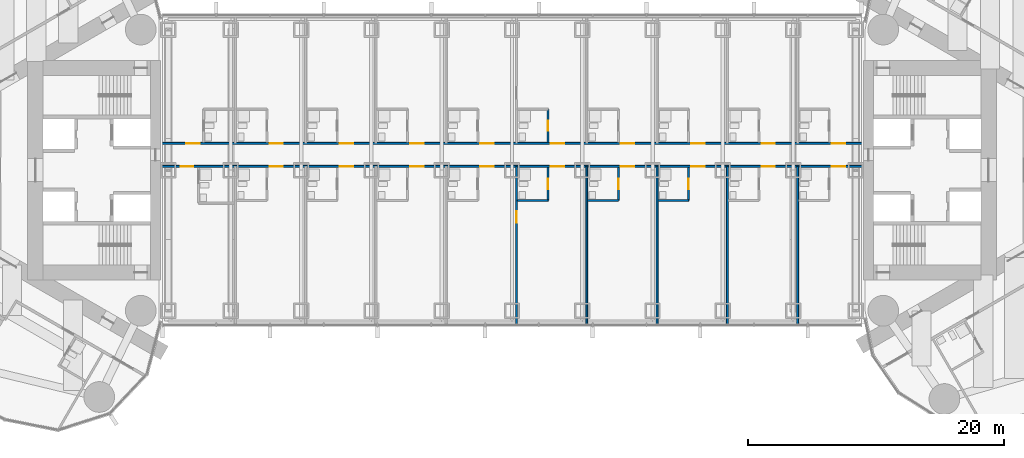
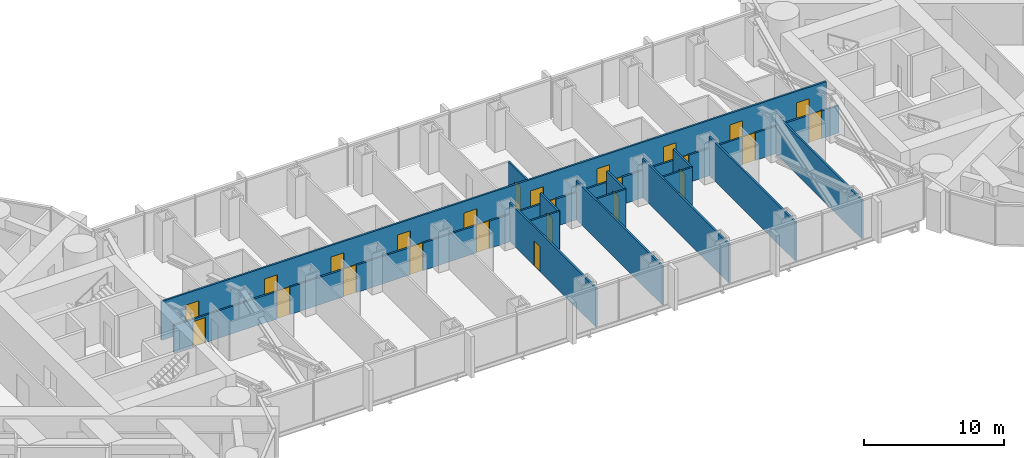
# One storey, part 17 of 23: 25 doors, 14 walls, 25 openings.
"""IFC4 building model written with IfcOpenShell, lengths in metres."""

from ifc_helpers import new_model, si_unit, direction, frame, frame_2d, origin, place, context, subcontext, project, spatial, rectangle, extrude, material, layer, layer_set, type_object, element, fill, save


model = new_model("IFC4")

# Units and contexts
model_context = context("Model", 3, precision=1e-05, world=origin(), true_north=direction((0.0, 1.0)))
body_context = subcontext(model_context, "Body", "Model", "MODEL_VIEW")
ifc_project = project(units=[si_unit("LENGTHUNIT", "METRE"), si_unit("AREAUNIT", "SQUARE_METRE"), si_unit("VOLUMEUNIT", "CUBIC_METRE"), si_unit("PLANEANGLEUNIT", "RADIAN"), si_unit("MASSUNIT", "GRAM", prefix="KILO")], contexts=[model_context])

# Site, building, storey
site_placement = place(None, origin())
site = spatial("IfcSite", under=ifc_project, at=site_placement, CompositionType="ELEMENT")
building_placement = place(site_placement, origin())
building = spatial("IfcBuilding", under=site, at=building_placement, Name="Lancet Gate Hotel", CompositionType="ELEMENT")
storey_placement = place(building_placement, frame((0.0, 0.0, 215.300048828125)))
storey = spatial("IfcBuildingStorey", under=building, at=storey_placement, Name="L57", CompositionType="ELEMENT", Elevation=215.300048828125)

# Wall
ifc_material_1 = material(Name="Moisture resistant board partition")
ifc_layer_1 = layer(ifc_material_1, 0.14990234375)
ifc_layer_set_1 = layer_set([ifc_layer_1], Name="Bathroom wall 150")
wall_type_1 = type_object("IfcWallType", Name="Bathroom wall 150", PredefinedType="PARTITIONING", material=ifc_layer_set_1)
wall_1_placement = place(storey_placement, frame((0.425048828125, -2.375, 0.0), z_axis=(0.0, 0.0, 1.0), x_axis=(1.0, 0.0, 0.0)))
element("IfcWall", 1, at=wall_1_placement, inside=storey, type_object=wall_type_1, Name="Bridge block bathroom wall 150 L57", PredefinedType="PARTITIONING", context=body_context, shape_type="SweptSolid", body=[
    extrude(rectangle(XDim=2.39990234375, YDim=0.14990234375, at=frame_2d((1.199951171875, 0.0))), origin(), (0.0, 0.0, 1.0), 3.39990234375),
])

# Wall, opening, door
wall_2_placement = place(storey_placement, frame((2.824951171875, -2.375, 0.0), z_axis=(0.0, 0.0, 1.0), x_axis=(0.0, 1.0, 0.0)))
wall_2 = element("IfcWall", 2, at=wall_2_placement, inside=storey, type_object=wall_type_1, Name="Bridge block bathroom wall 150 L57", PredefinedType="PARTITIONING", context=body_context, shape_type="SweptSolid", body=[
    extrude(rectangle(XDim=2.60009765625, YDim=0.14990234375, at=frame_2d((1.300048828125, 0.0))), origin(), (0.0, 0.0, 1.0), 3.39990234375),
])
opening_1_placement = place(wall_2_placement, frame((0.89990234375, 0.0, 0.0)))
opening_1 = element("IfcOpeningElement", 3, at=opening_1_placement, cuts=wall_2, Name="Opening B5706-B", PredefinedType="OPENING", context=body_context, shape_type="SweptSolid", body=[
    extrude(rectangle(XDim=0.800048828125, YDim=2.199951171875, at=frame_2d((0.39990234375, 1.10009765625))), frame((0.0, 0.0849609375, 0.0), z_axis=(0.0, -1.0, 0.0), x_axis=(1.0, 0.0, 0.0)), (0.0, 0.0, 1.0), 0.169921875),
])
ifc_material_2 = material(Name="Timber door set", Category="wood")
door_type_1 = type_object("IfcDoorType", Name="Bathroom door 800", OperationType="SINGLE_SWING_RIGHT", PredefinedType="DOOR", material=ifc_material_2)
door_1_placement = place(opening_1_placement, origin())
door_1 = element("IfcDoor", 4, at=door_1_placement, inside=storey, type_object=door_type_1, Name="B5706-B", OperationType="SINGLE_SWING_RIGHT", OverallHeight=2.199951171875, OverallWidth=0.800048828125, PredefinedType="DOOR", context=body_context, shape_type="SweptSolid", body=[
    extrude(rectangle(XDim=0.800048828125, YDim=2.199951171875, at=frame_2d((0.39990234375, 1.10009765625))), frame((0.0, 0.02490234375, 0.0), z_axis=(0.0, -1.0, 0.0), x_axis=(1.0, 0.0, 0.0)), (0.0, 0.0, 1.0), 0.050048828125),
])
fill(opening_1, door_1)

# Wall
wall_3_placement = place(storey_placement, frame((5.925048828125, -2.375, 0.0), z_axis=(0.0, 0.0, 1.0), x_axis=(1.0, 0.0, 0.0)))
element("IfcWall", 5, at=wall_3_placement, inside=storey, type_object=wall_type_1, Name="Bridge block bathroom wall 150 L57", PredefinedType="PARTITIONING", context=body_context, shape_type="SweptSolid", body=[
    extrude(rectangle(XDim=2.39990234375, YDim=0.14990234375, at=frame_2d((1.199951171875, 0.0))), origin(), (0.0, 0.0, 1.0), 3.39990234375),
])

# Wall, opening, door
wall_4_placement = place(storey_placement, frame((8.324951171875, -2.375, 0.0), z_axis=(0.0, 0.0, 1.0), x_axis=(0.0, 1.0, 0.0)))
wall_4 = element("IfcWall", 6, at=wall_4_placement, inside=storey, type_object=wall_type_1, Name="Bridge block bathroom wall 150 L57", PredefinedType="PARTITIONING", context=body_context, shape_type="SweptSolid", body=[
    extrude(rectangle(XDim=2.60009765625, YDim=0.14990234375, at=frame_2d((1.300048828125, 0.0))), origin(), (0.0, 0.0, 1.0), 3.39990234375),
])
opening_2_placement = place(wall_4_placement, frame((0.89990234375, 0.0, 0.0)))
opening_2 = element("IfcOpeningElement", 7, at=opening_2_placement, cuts=wall_4, Name="Opening B5707-B", PredefinedType="OPENING", context=body_context, shape_type="SweptSolid", body=[
    extrude(rectangle(XDim=0.800048828125, YDim=2.199951171875, at=frame_2d((0.39990234375, 1.10009765625))), frame((0.0, 0.0849609375, 0.0), z_axis=(0.0, -1.0, 0.0), x_axis=(1.0, 0.0, 0.0)), (0.0, 0.0, 1.0), 0.169921875),
])
door_2_placement = place(opening_2_placement, origin())
door_2 = element("IfcDoor", 8, at=door_2_placement, inside=storey, type_object=door_type_1, Name="B5707-B", OperationType="SINGLE_SWING_RIGHT", OverallHeight=2.199951171875, OverallWidth=0.800048828125, PredefinedType="DOOR", context=body_context, shape_type="SweptSolid", body=[
    extrude(rectangle(XDim=0.800048828125, YDim=2.199951171875, at=frame_2d((0.39990234375, 1.10009765625))), frame((0.0, 0.02490234375, 0.0), z_axis=(0.0, -1.0, 0.0), x_axis=(1.0, 0.0, 0.0)), (0.0, 0.0, 1.0), 0.050048828125),
])
fill(opening_2, door_2)

# Wall
wall_5_placement = place(storey_placement, frame((11.425048828125, -2.375, 0.0), z_axis=(0.0, 0.0, 1.0), x_axis=(1.0, 0.0, 0.0)))
element("IfcWall", 9, at=wall_5_placement, inside=storey, type_object=wall_type_1, Name="Bridge block bathroom wall 150 L57", PredefinedType="PARTITIONING", context=body_context, shape_type="SweptSolid", body=[
    extrude(rectangle(XDim=2.39990234375, YDim=0.14990234375, at=frame_2d((1.199951171875, 0.0))), origin(), (0.0, 0.0, 1.0), 3.39990234375),
])

# Wall, opening, door
wall_6_placement = place(storey_placement, frame((13.824951171875, -2.375, 0.0), z_axis=(0.0, 0.0, 1.0), x_axis=(0.0, 1.0, 0.0)))
wall_6 = element("IfcWall", 10, at=wall_6_placement, inside=storey, type_object=wall_type_1, Name="Bridge block bathroom wall 150 L57", PredefinedType="PARTITIONING", context=body_context, shape_type="SweptSolid", body=[
    extrude(rectangle(XDim=2.60009765625, YDim=0.14990234375, at=frame_2d((1.300048828125, 0.0))), origin(), (0.0, 0.0, 1.0), 3.39990234375),
])
opening_3_placement = place(wall_6_placement, frame((0.89990234375, 0.0, 0.0)))
opening_3 = element("IfcOpeningElement", 11, at=opening_3_placement, cuts=wall_6, Name="Opening B5708-B", PredefinedType="OPENING", context=body_context, shape_type="SweptSolid", body=[
    extrude(rectangle(XDim=0.800048828125, YDim=2.199951171875, at=frame_2d((0.39990234375, 1.10009765625))), frame((0.0, 0.0849609375, 0.0), z_axis=(0.0, -1.0, 0.0), x_axis=(1.0, 0.0, 0.0)), (0.0, 0.0, 1.0), 0.169921875),
])
door_3_placement = place(opening_3_placement, origin())
door_3 = element("IfcDoor", 12, at=door_3_placement, inside=storey, type_object=door_type_1, Name="B5708-B", OperationType="SINGLE_SWING_RIGHT", OverallHeight=2.199951171875, OverallWidth=0.800048828125, PredefinedType="DOOR", context=body_context, shape_type="SweptSolid", body=[
    extrude(rectangle(XDim=0.800048828125, YDim=2.199951171875, at=frame_2d((0.39990234375, 1.10009765625))), frame((0.0, 0.02490234375, 0.0), z_axis=(0.0, -1.0, 0.0), x_axis=(1.0, 0.0, 0.0)), (0.0, 0.0, 1.0), 0.050048828125),
])
fill(opening_3, door_3)

wall_7_placement = place(storey_placement, frame((2.824951171875, 2.175048828125, 0.0), z_axis=(0.0, 0.0, 1.0), x_axis=(0.0, 1.0, 0.0)))
wall_7 = element("IfcWall", 13, at=wall_7_placement, inside=storey, type_object=wall_type_1, Name="Bridge block bathroom wall 150 L57", PredefinedType="PARTITIONING", context=body_context, shape_type="SweptSolid", body=[
    extrude(rectangle(XDim=2.599853515625, YDim=0.14990234375, at=frame_2d((1.2998046875, 0.0))), origin(), (0.0, 0.0, 1.0), 3.39990234375),
])
opening_4_placement = place(wall_7_placement, frame((0.89990234375, 0.0, 0.0)))
opening_4 = element("IfcOpeningElement", 14, at=opening_4_placement, cuts=wall_7, Name="Opening B5716-B", PredefinedType="OPENING", context=body_context, shape_type="SweptSolid", body=[
    extrude(rectangle(XDim=0.800048828125, YDim=2.199951171875, at=frame_2d((0.39990234375, 1.10009765625))), frame((0.0, 0.0849609375, 0.0), z_axis=(0.0, -1.0, 0.0), x_axis=(1.0, 0.0, 0.0)), (0.0, 0.0, 1.0), 0.169921875),
])
door_4_placement = place(opening_4_placement, origin())
door_4 = element("IfcDoor", 15, at=door_4_placement, inside=storey, type_object=door_type_1, Name="B5716-B", OperationType="SINGLE_SWING_RIGHT", OverallHeight=2.199951171875, OverallWidth=0.800048828125, PredefinedType="DOOR", context=body_context, shape_type="SweptSolid", body=[
    extrude(rectangle(XDim=0.800048828125, YDim=2.199951171875, at=frame_2d((0.39990234375, 1.10009765625))), frame((0.0, 0.02490234375, 0.0), z_axis=(0.0, -1.0, 0.0), x_axis=(1.0, 0.0, 0.0)), (0.0, 0.0, 1.0), 0.050048828125),
])
fill(opening_4, door_4)

# Wall, openings, doors
ifc_material_3 = material(Name="Gypsum board partition")
ifc_layer_2 = layer(ifc_material_3, 0.14990234375)
ifc_layer_set_2 = layer_set([ifc_layer_2], Name="Block corridor wall 150")
wall_type_2 = type_object("IfcWallType", Name="Block corridor wall 150", PredefinedType="PARTITIONING", material=ifc_layer_set_2)
wall_8_placement = place(storey_placement, frame((-27.5, 0.300048828125, 0.0), z_axis=(0.0, 0.0, 1.0), x_axis=(1.0, 0.0, 0.0)))
wall_8 = element("IfcWall", 16, at=wall_8_placement, inside=storey, type_object=wall_type_2, Name="Bridge block block corridor wall 150 L57", PredefinedType="PARTITIONING", context=body_context, shape_type="SweptSolid", body=[
    extrude(rectangle(XDim=55.0, YDim=0.14990234375, at=frame_2d((27.5, 0.0))), origin(), (0.0, 0.0, 1.0), 2.39990234375),
])
opening_5_placement = place(wall_8_placement, frame((1.574951171875, 0.0, 0.0)))
opening_5 = element("IfcOpeningElement", 17, at=opening_5_placement, cuts=wall_8, Name="Opening B5701", PredefinedType="OPENING", context=body_context, shape_type="SweptSolid", body=[
    extrude(rectangle(XDim=1.0, YDim=2.199951171875, at=frame_2d((0.5, 1.10009765625))), frame((0.0, 0.0849609375, 0.0), z_axis=(0.0, -1.0, 0.0), x_axis=(1.0, 0.0, 0.0)), (0.0, 0.0, 1.0), 0.169921875),
])
opening_6_placement = place(wall_8_placement, frame((8.52490234375, 0.0, 0.0)))
opening_6 = element("IfcOpeningElement", 18, at=opening_6_placement, cuts=wall_8, Name="Opening B5702", PredefinedType="OPENING", context=body_context, shape_type="SweptSolid", body=[
    extrude(rectangle(XDim=1.050048828125, YDim=2.39990234375, at=frame_2d((0.52490234375, 1.199951171875))), frame((0.0, 0.0849609375, 0.0), z_axis=(0.0, -1.0, 0.0), x_axis=(1.0, 0.0, 0.0)), (0.0, 0.0, 1.0), 0.169921875),
])
opening_7_placement = place(wall_8_placement, frame((14.02490234375, 0.0, 0.0)))
opening_7 = element("IfcOpeningElement", 19, at=opening_7_placement, cuts=wall_8, Name="Opening B5703", PredefinedType="OPENING", context=body_context, shape_type="SweptSolid", body=[
    extrude(rectangle(XDim=1.050048828125, YDim=2.39990234375, at=frame_2d((0.52490234375, 1.199951171875))), frame((0.0, 0.0849609375, 0.0), z_axis=(0.0, -1.0, 0.0), x_axis=(1.0, 0.0, 0.0)), (0.0, 0.0, 1.0), 0.169921875),
])
opening_8_placement = place(wall_8_placement, frame((19.52490234375, 0.0, 0.0)))
opening_8 = element("IfcOpeningElement", 20, at=opening_8_placement, cuts=wall_8, Name="Opening B5704", PredefinedType="OPENING", context=body_context, shape_type="SweptSolid", body=[
    extrude(rectangle(XDim=1.050048828125, YDim=2.39990234375, at=frame_2d((0.52490234375, 1.199951171875))), frame((0.0, 0.0849609375, 0.0), z_axis=(0.0, -1.0, 0.0), x_axis=(1.0, 0.0, 0.0)), (0.0, 0.0, 1.0), 0.169921875),
])
opening_9_placement = place(wall_8_placement, frame((25.02490234375, 0.0, 0.0)))
opening_9 = element("IfcOpeningElement", 21, at=opening_9_placement, cuts=wall_8, Name="Opening B5705", PredefinedType="OPENING", context=body_context, shape_type="SweptSolid", body=[
    extrude(rectangle(XDim=1.050048828125, YDim=2.39990234375, at=frame_2d((0.52490234375, 1.199951171875))), frame((0.0, 0.0849609375, 0.0), z_axis=(0.0, -1.0, 0.0), x_axis=(1.0, 0.0, 0.0)), (0.0, 0.0, 1.0), 0.169921875),
])
opening_10_placement = place(wall_8_placement, frame((30.52490234375, 0.0, 0.0)))
opening_10 = element("IfcOpeningElement", 22, at=opening_10_placement, cuts=wall_8, Name="Opening B5706", PredefinedType="OPENING", context=body_context, shape_type="SweptSolid", body=[
    extrude(rectangle(XDim=1.050048828125, YDim=2.39990234375, at=frame_2d((0.52490234375, 1.199951171875))), frame((0.0, 0.0849609375, 0.0), z_axis=(0.0, -1.0, 0.0), x_axis=(1.0, 0.0, 0.0)), (0.0, 0.0, 1.0), 0.169921875),
])
opening_11_placement = place(wall_8_placement, frame((36.02490234375, 0.0, 0.0)))
opening_11 = element("IfcOpeningElement", 23, at=opening_11_placement, cuts=wall_8, Name="Opening B5707", PredefinedType="OPENING", context=body_context, shape_type="SweptSolid", body=[
    extrude(rectangle(XDim=1.050048828125, YDim=2.39990234375, at=frame_2d((0.52490234375, 1.199951171875))), frame((0.0, 0.0849609375, 0.0), z_axis=(0.0, -1.0, 0.0), x_axis=(1.0, 0.0, 0.0)), (0.0, 0.0, 1.0), 0.169921875),
])
opening_12_placement = place(wall_8_placement, frame((41.52490234375, 0.0, 0.0)))
opening_12 = element("IfcOpeningElement", 24, at=opening_12_placement, cuts=wall_8, Name="Opening B5708", PredefinedType="OPENING", context=body_context, shape_type="SweptSolid", body=[
    extrude(rectangle(XDim=1.050048828125, YDim=2.39990234375, at=frame_2d((0.52490234375, 1.199951171875))), frame((0.0, 0.0849609375, 0.0), z_axis=(0.0, -1.0, 0.0), x_axis=(1.0, 0.0, 0.0)), (0.0, 0.0, 1.0), 0.169921875),
])
opening_13_placement = place(wall_8_placement, frame((47.02490234375, 0.0, 0.0)))
opening_13 = element("IfcOpeningElement", 25, at=opening_13_placement, cuts=wall_8, Name="Opening B5709", PredefinedType="OPENING", context=body_context, shape_type="SweptSolid", body=[
    extrude(rectangle(XDim=1.050048828125, YDim=2.39990234375, at=frame_2d((0.52490234375, 1.199951171875))), frame((0.0, 0.0849609375, 0.0), z_axis=(0.0, -1.0, 0.0), x_axis=(1.0, 0.0, 0.0)), (0.0, 0.0, 1.0), 0.169921875),
])
opening_14_placement = place(wall_8_placement, frame((52.52490234375, 0.0, 0.0)))
opening_14 = element("IfcOpeningElement", 26, at=opening_14_placement, cuts=wall_8, Name="Opening B5710", PredefinedType="OPENING", context=body_context, shape_type="SweptSolid", body=[
    extrude(rectangle(XDim=1.050048828125, YDim=2.39990234375, at=frame_2d((0.52490234375, 1.199951171875))), frame((0.0, 0.0849609375, 0.0), z_axis=(0.0, -1.0, 0.0), x_axis=(1.0, 0.0, 0.0)), (0.0, 0.0, 1.0), 0.169921875),
])
ifc_material_4 = material(Name="Timber door set", Category="wood")
door_type_2 = type_object("IfcDoorType", Name="Accessible guest room door 1000", OperationType="SINGLE_SWING_LEFT", PredefinedType="DOOR", material=ifc_material_4)
door_5_placement = place(opening_5_placement, origin())
door_5 = element("IfcDoor", 27, at=door_5_placement, inside=storey, type_object=door_type_2, Name="B5701", OperationType="SINGLE_SWING_LEFT", OverallHeight=2.199951171875, OverallWidth=1.0, PredefinedType="DOOR", context=body_context, shape_type="SweptSolid", body=[
    extrude(rectangle(XDim=1.0, YDim=2.199951171875, at=frame_2d((0.5, 1.10009765625))), frame((0.0, 0.02490234375, 0.0), z_axis=(0.0, -1.0, 0.0), x_axis=(1.0, 0.0, 0.0)), (0.0, 0.0, 1.0), 0.050048828125),
])
fill(opening_5, door_5)
ifc_material_5 = material(Name="Timber door set", Category="wood")
door_type_3 = type_object("IfcDoorType", Name="Suite entry door 1050", OperationType="SINGLE_SWING_LEFT", PredefinedType="DOOR", material=ifc_material_5)
door_6_placement = place(opening_6_placement, origin())
door_6 = element("IfcDoor", 28, at=door_6_placement, inside=storey, type_object=door_type_3, Name="B5702", OperationType="SINGLE_SWING_LEFT", OverallHeight=2.39990234375, OverallWidth=1.050048828125, PredefinedType="DOOR", context=body_context, shape_type="SweptSolid", body=[
    extrude(rectangle(XDim=1.050048828125, YDim=2.39990234375, at=frame_2d((0.52490234375, 1.199951171875))), frame((0.0, 0.02490234375, 0.0), z_axis=(0.0, -1.0, 0.0), x_axis=(1.0, 0.0, 0.0)), (0.0, 0.0, 1.0), 0.050048828125),
])
fill(opening_6, door_6)
door_7_placement = place(opening_7_placement, origin())
door_7 = element("IfcDoor", 29, at=door_7_placement, inside=storey, type_object=door_type_3, Name="B5703", OperationType="SINGLE_SWING_LEFT", OverallHeight=2.39990234375, OverallWidth=1.050048828125, PredefinedType="DOOR", context=body_context, shape_type="SweptSolid", body=[
    extrude(rectangle(XDim=1.050048828125, YDim=2.39990234375, at=frame_2d((0.52490234375, 1.199951171875))), frame((0.0, 0.02490234375, 0.0), z_axis=(0.0, -1.0, 0.0), x_axis=(1.0, 0.0, 0.0)), (0.0, 0.0, 1.0), 0.050048828125),
])
fill(opening_7, door_7)
door_8_placement = place(opening_8_placement, origin())
door_8 = element("IfcDoor", 30, at=door_8_placement, inside=storey, type_object=door_type_3, Name="B5704", OperationType="SINGLE_SWING_LEFT", OverallHeight=2.39990234375, OverallWidth=1.050048828125, PredefinedType="DOOR", context=body_context, shape_type="SweptSolid", body=[
    extrude(rectangle(XDim=1.050048828125, YDim=2.39990234375, at=frame_2d((0.52490234375, 1.199951171875))), frame((0.0, 0.02490234375, 0.0), z_axis=(0.0, -1.0, 0.0), x_axis=(1.0, 0.0, 0.0)), (0.0, 0.0, 1.0), 0.050048828125),
])
fill(opening_8, door_8)
door_9_placement = place(opening_9_placement, origin())
door_9 = element("IfcDoor", 31, at=door_9_placement, inside=storey, type_object=door_type_3, Name="B5705", OperationType="SINGLE_SWING_LEFT", OverallHeight=2.39990234375, OverallWidth=1.050048828125, PredefinedType="DOOR", context=body_context, shape_type="SweptSolid", body=[
    extrude(rectangle(XDim=1.050048828125, YDim=2.39990234375, at=frame_2d((0.52490234375, 1.199951171875))), frame((0.0, 0.02490234375, 0.0), z_axis=(0.0, -1.0, 0.0), x_axis=(1.0, 0.0, 0.0)), (0.0, 0.0, 1.0), 0.050048828125),
])
fill(opening_9, door_9)
door_10_placement = place(opening_10_placement, origin())
door_10 = element("IfcDoor", 32, at=door_10_placement, inside=storey, type_object=door_type_3, Name="B5706", OperationType="SINGLE_SWING_LEFT", OverallHeight=2.39990234375, OverallWidth=1.050048828125, PredefinedType="DOOR", context=body_context, shape_type="SweptSolid", body=[
    extrude(rectangle(XDim=1.050048828125, YDim=2.39990234375, at=frame_2d((0.52490234375, 1.199951171875))), frame((0.0, 0.02490234375, 0.0), z_axis=(0.0, -1.0, 0.0), x_axis=(1.0, 0.0, 0.0)), (0.0, 0.0, 1.0), 0.050048828125),
])
fill(opening_10, door_10)
door_11_placement = place(opening_11_placement, origin())
door_11 = element("IfcDoor", 33, at=door_11_placement, inside=storey, type_object=door_type_3, Name="B5707", OperationType="SINGLE_SWING_LEFT", OverallHeight=2.39990234375, OverallWidth=1.050048828125, PredefinedType="DOOR", context=body_context, shape_type="SweptSolid", body=[
    extrude(rectangle(XDim=1.050048828125, YDim=2.39990234375, at=frame_2d((0.52490234375, 1.199951171875))), frame((0.0, 0.02490234375, 0.0), z_axis=(0.0, -1.0, 0.0), x_axis=(1.0, 0.0, 0.0)), (0.0, 0.0, 1.0), 0.050048828125),
])
fill(opening_11, door_11)
door_12_placement = place(opening_12_placement, origin())
door_12 = element("IfcDoor", 34, at=door_12_placement, inside=storey, type_object=door_type_3, Name="B5708", OperationType="SINGLE_SWING_LEFT", OverallHeight=2.39990234375, OverallWidth=1.050048828125, PredefinedType="DOOR", context=body_context, shape_type="SweptSolid", body=[
    extrude(rectangle(XDim=1.050048828125, YDim=2.39990234375, at=frame_2d((0.52490234375, 1.199951171875))), frame((0.0, 0.02490234375, 0.0), z_axis=(0.0, -1.0, 0.0), x_axis=(1.0, 0.0, 0.0)), (0.0, 0.0, 1.0), 0.050048828125),
])
fill(opening_12, door_12)
door_13_placement = place(opening_13_placement, origin())
door_13 = element("IfcDoor", 35, at=door_13_placement, inside=storey, type_object=door_type_3, Name="B5709", OperationType="SINGLE_SWING_LEFT", OverallHeight=2.39990234375, OverallWidth=1.050048828125, PredefinedType="DOOR", context=body_context, shape_type="SweptSolid", body=[
    extrude(rectangle(XDim=1.050048828125, YDim=2.39990234375, at=frame_2d((0.52490234375, 1.199951171875))), frame((0.0, 0.02490234375, 0.0), z_axis=(0.0, -1.0, 0.0), x_axis=(1.0, 0.0, 0.0)), (0.0, 0.0, 1.0), 0.050048828125),
])
fill(opening_13, door_13)
door_14_placement = place(opening_14_placement, origin())
door_14 = element("IfcDoor", 36, at=door_14_placement, inside=storey, type_object=door_type_3, Name="B5710", OperationType="SINGLE_SWING_LEFT", OverallHeight=2.39990234375, OverallWidth=1.050048828125, PredefinedType="DOOR", context=body_context, shape_type="SweptSolid", body=[
    extrude(rectangle(XDim=1.050048828125, YDim=2.39990234375, at=frame_2d((0.52490234375, 1.199951171875))), frame((0.0, 0.02490234375, 0.0), z_axis=(0.0, -1.0, 0.0), x_axis=(1.0, 0.0, 0.0)), (0.0, 0.0, 1.0), 0.050048828125),
])
fill(opening_14, door_14)

wall_9_placement = place(storey_placement, frame((-27.5, 2.10009765625, 0.0), z_axis=(0.0, 0.0, 1.0), x_axis=(1.0, 0.0, 0.0)))
wall_9 = element("IfcWall", 37, at=wall_9_placement, inside=storey, type_object=wall_type_2, Name="Bridge block block corridor wall 150 L57", PredefinedType="PARTITIONING", context=body_context, shape_type="SweptSolid", body=[
    extrude(rectangle(XDim=55.0, YDim=0.14990234375, at=frame_2d((27.5, 0.0))), origin(), (0.0, 0.0, 1.0), 3.39990234375),
])
opening_15_placement = place(wall_9_placement, frame((2.02490234375, 0.0, 0.0)))
opening_15 = element("IfcOpeningElement", 38, at=opening_15_placement, cuts=wall_9, Name="Opening B5711", PredefinedType="OPENING", context=body_context, shape_type="SweptSolid", body=[
    extrude(rectangle(XDim=1.050048828125, YDim=2.39990234375, at=frame_2d((0.52490234375, 1.199951171875))), frame((0.0, 0.0849609375, 0.0), z_axis=(0.0, -1.0, 0.0), x_axis=(1.0, 0.0, 0.0)), (0.0, 0.0, 1.0), 0.169921875),
])
opening_16_placement = place(wall_9_placement, frame((8.52490234375, 0.0, 0.0)))
opening_16 = element("IfcOpeningElement", 39, at=opening_16_placement, cuts=wall_9, Name="Opening B5712", PredefinedType="OPENING", context=body_context, shape_type="SweptSolid", body=[
    extrude(rectangle(XDim=1.050048828125, YDim=2.39990234375, at=frame_2d((0.52490234375, 1.199951171875))), frame((0.0, 0.0849609375, 0.0), z_axis=(0.0, -1.0, 0.0), x_axis=(1.0, 0.0, 0.0)), (0.0, 0.0, 1.0), 0.169921875),
])
opening_17_placement = place(wall_9_placement, frame((14.02490234375, 0.0, 0.0)))
opening_17 = element("IfcOpeningElement", 40, at=opening_17_placement, cuts=wall_9, Name="Opening B5713", PredefinedType="OPENING", context=body_context, shape_type="SweptSolid", body=[
    extrude(rectangle(XDim=1.050048828125, YDim=2.39990234375, at=frame_2d((0.52490234375, 1.199951171875))), frame((0.0, 0.0849609375, 0.0), z_axis=(0.0, -1.0, 0.0), x_axis=(1.0, 0.0, 0.0)), (0.0, 0.0, 1.0), 0.169921875),
])
opening_18_placement = place(wall_9_placement, frame((19.52490234375, 0.0, 0.0)))
opening_18 = element("IfcOpeningElement", 41, at=opening_18_placement, cuts=wall_9, Name="Opening B5714", PredefinedType="OPENING", context=body_context, shape_type="SweptSolid", body=[
    extrude(rectangle(XDim=1.050048828125, YDim=2.39990234375, at=frame_2d((0.52490234375, 1.199951171875))), frame((0.0, 0.0849609375, 0.0), z_axis=(0.0, -1.0, 0.0), x_axis=(1.0, 0.0, 0.0)), (0.0, 0.0, 1.0), 0.169921875),
])
opening_19_placement = place(wall_9_placement, frame((25.02490234375, 0.0, 0.0)))
opening_19 = element("IfcOpeningElement", 42, at=opening_19_placement, cuts=wall_9, Name="Opening B5715", PredefinedType="OPENING", context=body_context, shape_type="SweptSolid", body=[
    extrude(rectangle(XDim=1.050048828125, YDim=2.39990234375, at=frame_2d((0.52490234375, 1.199951171875))), frame((0.0, 0.0849609375, 0.0), z_axis=(0.0, -1.0, 0.0), x_axis=(1.0, 0.0, 0.0)), (0.0, 0.0, 1.0), 0.169921875),
])
opening_20_placement = place(wall_9_placement, frame((30.52490234375, 0.0, 0.0)))
opening_20 = element("IfcOpeningElement", 43, at=opening_20_placement, cuts=wall_9, Name="Opening B5716", PredefinedType="OPENING", context=body_context, shape_type="SweptSolid", body=[
    extrude(rectangle(XDim=1.050048828125, YDim=2.39990234375, at=frame_2d((0.52490234375, 1.199951171875))), frame((0.0, 0.0849609375, 0.0), z_axis=(0.0, -1.0, 0.0), x_axis=(1.0, 0.0, 0.0)), (0.0, 0.0, 1.0), 0.169921875),
])
opening_21_placement = place(wall_9_placement, frame((36.02490234375, 0.0, 0.0)))
opening_21 = element("IfcOpeningElement", 44, at=opening_21_placement, cuts=wall_9, Name="Opening B5717", PredefinedType="OPENING", context=body_context, shape_type="SweptSolid", body=[
    extrude(rectangle(XDim=1.050048828125, YDim=2.39990234375, at=frame_2d((0.52490234375, 1.199951171875))), frame((0.0, 0.0849609375, 0.0), z_axis=(0.0, -1.0, 0.0), x_axis=(1.0, 0.0, 0.0)), (0.0, 0.0, 1.0), 0.169921875),
])
opening_22_placement = place(wall_9_placement, frame((41.52490234375, 0.0, 0.0)))
opening_22 = element("IfcOpeningElement", 45, at=opening_22_placement, cuts=wall_9, Name="Opening B5718", PredefinedType="OPENING", context=body_context, shape_type="SweptSolid", body=[
    extrude(rectangle(XDim=1.050048828125, YDim=2.39990234375, at=frame_2d((0.52490234375, 1.199951171875))), frame((0.0, 0.0849609375, 0.0), z_axis=(0.0, -1.0, 0.0), x_axis=(1.0, 0.0, 0.0)), (0.0, 0.0, 1.0), 0.169921875),
])
opening_23_placement = place(wall_9_placement, frame((47.02490234375, 0.0, 0.0)))
opening_23 = element("IfcOpeningElement", 46, at=opening_23_placement, cuts=wall_9, Name="Opening B5719", PredefinedType="OPENING", context=body_context, shape_type="SweptSolid", body=[
    extrude(rectangle(XDim=1.050048828125, YDim=2.39990234375, at=frame_2d((0.52490234375, 1.199951171875))), frame((0.0, 0.0849609375, 0.0), z_axis=(0.0, -1.0, 0.0), x_axis=(1.0, 0.0, 0.0)), (0.0, 0.0, 1.0), 0.169921875),
])
opening_24_placement = place(wall_9_placement, frame((52.52490234375, 0.0, 0.0)))
opening_24 = element("IfcOpeningElement", 47, at=opening_24_placement, cuts=wall_9, Name="Opening B5720", PredefinedType="OPENING", context=body_context, shape_type="SweptSolid", body=[
    extrude(rectangle(XDim=1.050048828125, YDim=2.39990234375, at=frame_2d((0.52490234375, 1.199951171875))), frame((0.0, 0.0849609375, 0.0), z_axis=(0.0, -1.0, 0.0), x_axis=(1.0, 0.0, 0.0)), (0.0, 0.0, 1.0), 0.169921875),
])
door_15_placement = place(opening_15_placement, origin())
door_15 = element("IfcDoor", 48, at=door_15_placement, inside=storey, type_object=door_type_3, Name="B5711", OperationType="SINGLE_SWING_LEFT", OverallHeight=2.39990234375, OverallWidth=1.050048828125, PredefinedType="DOOR", context=body_context, shape_type="SweptSolid", body=[
    extrude(rectangle(XDim=1.050048828125, YDim=2.39990234375, at=frame_2d((0.52490234375, 1.199951171875))), frame((0.0, 0.02490234375, 0.0), z_axis=(0.0, -1.0, 0.0), x_axis=(1.0, 0.0, 0.0)), (0.0, 0.0, 1.0), 0.050048828125),
])
fill(opening_15, door_15)
door_16_placement = place(opening_16_placement, origin())
door_16 = element("IfcDoor", 49, at=door_16_placement, inside=storey, type_object=door_type_3, Name="B5712", OperationType="SINGLE_SWING_LEFT", OverallHeight=2.39990234375, OverallWidth=1.050048828125, PredefinedType="DOOR", context=body_context, shape_type="SweptSolid", body=[
    extrude(rectangle(XDim=1.050048828125, YDim=2.39990234375, at=frame_2d((0.52490234375, 1.199951171875))), frame((0.0, 0.02490234375, 0.0), z_axis=(0.0, -1.0, 0.0), x_axis=(1.0, 0.0, 0.0)), (0.0, 0.0, 1.0), 0.050048828125),
])
fill(opening_16, door_16)
door_17_placement = place(opening_17_placement, origin())
door_17 = element("IfcDoor", 50, at=door_17_placement, inside=storey, type_object=door_type_3, Name="B5713", OperationType="SINGLE_SWING_LEFT", OverallHeight=2.39990234375, OverallWidth=1.050048828125, PredefinedType="DOOR", context=body_context, shape_type="SweptSolid", body=[
    extrude(rectangle(XDim=1.050048828125, YDim=2.39990234375, at=frame_2d((0.52490234375, 1.199951171875))), frame((0.0, 0.02490234375, 0.0), z_axis=(0.0, -1.0, 0.0), x_axis=(1.0, 0.0, 0.0)), (0.0, 0.0, 1.0), 0.050048828125),
])
fill(opening_17, door_17)
door_18_placement = place(opening_18_placement, origin())
door_18 = element("IfcDoor", 51, at=door_18_placement, inside=storey, type_object=door_type_3, Name="B5714", OperationType="SINGLE_SWING_LEFT", OverallHeight=2.39990234375, OverallWidth=1.050048828125, PredefinedType="DOOR", context=body_context, shape_type="SweptSolid", body=[
    extrude(rectangle(XDim=1.050048828125, YDim=2.39990234375, at=frame_2d((0.52490234375, 1.199951171875))), frame((0.0, 0.02490234375, 0.0), z_axis=(0.0, -1.0, 0.0), x_axis=(1.0, 0.0, 0.0)), (0.0, 0.0, 1.0), 0.050048828125),
])
fill(opening_18, door_18)
door_19_placement = place(opening_19_placement, origin())
door_19 = element("IfcDoor", 52, at=door_19_placement, inside=storey, type_object=door_type_3, Name="B5715", OperationType="SINGLE_SWING_LEFT", OverallHeight=2.39990234375, OverallWidth=1.050048828125, PredefinedType="DOOR", context=body_context, shape_type="SweptSolid", body=[
    extrude(rectangle(XDim=1.050048828125, YDim=2.39990234375, at=frame_2d((0.52490234375, 1.199951171875))), frame((0.0, 0.02490234375, 0.0), z_axis=(0.0, -1.0, 0.0), x_axis=(1.0, 0.0, 0.0)), (0.0, 0.0, 1.0), 0.050048828125),
])
fill(opening_19, door_19)
door_20_placement = place(opening_20_placement, origin())
door_20 = element("IfcDoor", 53, at=door_20_placement, inside=storey, type_object=door_type_3, Name="B5716", OperationType="SINGLE_SWING_LEFT", OverallHeight=2.39990234375, OverallWidth=1.050048828125, PredefinedType="DOOR", context=body_context, shape_type="SweptSolid", body=[
    extrude(rectangle(XDim=1.050048828125, YDim=2.39990234375, at=frame_2d((0.52490234375, 1.199951171875))), frame((0.0, 0.02490234375, 0.0), z_axis=(0.0, -1.0, 0.0), x_axis=(1.0, 0.0, 0.0)), (0.0, 0.0, 1.0), 0.050048828125),
])
fill(opening_20, door_20)
door_21_placement = place(opening_21_placement, origin())
door_21 = element("IfcDoor", 54, at=door_21_placement, inside=storey, type_object=door_type_3, Name="B5717", OperationType="SINGLE_SWING_LEFT", OverallHeight=2.39990234375, OverallWidth=1.050048828125, PredefinedType="DOOR", context=body_context, shape_type="SweptSolid", body=[
    extrude(rectangle(XDim=1.050048828125, YDim=2.39990234375, at=frame_2d((0.52490234375, 1.199951171875))), frame((0.0, 0.02490234375, 0.0), z_axis=(0.0, -1.0, 0.0), x_axis=(1.0, 0.0, 0.0)), (0.0, 0.0, 1.0), 0.050048828125),
])
fill(opening_21, door_21)
door_22_placement = place(opening_22_placement, origin())
door_22 = element("IfcDoor", 55, at=door_22_placement, inside=storey, type_object=door_type_3, Name="B5718", OperationType="SINGLE_SWING_LEFT", OverallHeight=2.39990234375, OverallWidth=1.050048828125, PredefinedType="DOOR", context=body_context, shape_type="SweptSolid", body=[
    extrude(rectangle(XDim=1.050048828125, YDim=2.39990234375, at=frame_2d((0.52490234375, 1.199951171875))), frame((0.0, 0.02490234375, 0.0), z_axis=(0.0, -1.0, 0.0), x_axis=(1.0, 0.0, 0.0)), (0.0, 0.0, 1.0), 0.050048828125),
])
fill(opening_22, door_22)
door_23_placement = place(opening_23_placement, origin())
door_23 = element("IfcDoor", 56, at=door_23_placement, inside=storey, type_object=door_type_3, Name="B5719", OperationType="SINGLE_SWING_LEFT", OverallHeight=2.39990234375, OverallWidth=1.050048828125, PredefinedType="DOOR", context=body_context, shape_type="SweptSolid", body=[
    extrude(rectangle(XDim=1.050048828125, YDim=2.39990234375, at=frame_2d((0.52490234375, 1.199951171875))), frame((0.0, 0.02490234375, 0.0), z_axis=(0.0, -1.0, 0.0), x_axis=(1.0, 0.0, 0.0)), (0.0, 0.0, 1.0), 0.050048828125),
])
fill(opening_23, door_23)
door_24_placement = place(opening_24_placement, origin())
door_24 = element("IfcDoor", 57, at=door_24_placement, inside=storey, type_object=door_type_3, Name="B5720", OperationType="SINGLE_SWING_LEFT", OverallHeight=2.39990234375, OverallWidth=1.050048828125, PredefinedType="DOOR", context=body_context, shape_type="SweptSolid", body=[
    extrude(rectangle(XDim=1.050048828125, YDim=2.39990234375, at=frame_2d((0.52490234375, 1.199951171875))), frame((0.0, 0.02490234375, 0.0), z_axis=(0.0, -1.0, 0.0), x_axis=(1.0, 0.0, 0.0)), (0.0, 0.0, 1.0), 0.050048828125),
])
fill(opening_24, door_24)

# Wall, opening, door
ifc_material_6 = material(Name="Gypsum board partition")
ifc_layer_3 = layer(ifc_material_6, 0.14990234375)
ifc_layer_set_3 = layer_set([ifc_layer_3], Name="Party wall 150")
wall_type_3 = type_object("IfcWallType", Name="Party wall 150", PredefinedType="PARTITIONING", material=ifc_layer_set_3)
wall_10_placement = place(storey_placement, frame((0.35009765625, -12.070068359375, 0.0), z_axis=(0.0, 0.0, 1.0), x_axis=(0.0, 1.0, 0.0)))
wall_10 = element("IfcWall", 58, at=wall_10_placement, inside=storey, type_object=wall_type_3, Name="Bridge block party wall 150 L57", PredefinedType="PARTITIONING", context=body_context, shape_type="SweptSolid", body=[
    extrude(rectangle(XDim=12.3701171875, YDim=0.14990234375, at=frame_2d((6.18505859375, 0.0))), origin(), (0.0, 0.0, 1.0), 3.39990234375),
])
opening_25_placement = place(wall_10_placement, frame((7.969970703125, 0.0, 0.0)))
opening_25 = element("IfcOpeningElement", 59, at=opening_25_placement, cuts=wall_10, Name="Opening B5705-C", PredefinedType="OPENING", context=body_context, shape_type="SweptSolid", body=[
    extrude(rectangle(XDim=0.89990234375, YDim=2.199951171875, at=frame_2d((0.449951171875, 1.10009765625))), frame((0.0, 0.0849609375, 0.0), z_axis=(0.0, -1.0, 0.0), x_axis=(1.0, 0.0, 0.0)), (0.0, 0.0, 1.0), 0.169921875),
])
ifc_material_7 = material(Name="Timber door set", Category="wood")
door_type_4 = type_object("IfcDoorType", Name="Connecting door 900", OperationType="SINGLE_SWING_LEFT", PredefinedType="DOOR", material=ifc_material_7)
door_25_placement = place(opening_25_placement, origin())
door_25 = element("IfcDoor", 60, at=door_25_placement, inside=storey, type_object=door_type_4, Name="B5705-C", OperationType="SINGLE_SWING_LEFT", OverallHeight=2.199951171875, OverallWidth=0.89990234375, PredefinedType="DOOR", context=body_context, shape_type="SweptSolid", body=[
    extrude(rectangle(XDim=0.89990234375, YDim=2.199951171875, at=frame_2d((0.449951171875, 1.10009765625))), frame((0.0, 0.02490234375, 0.0), z_axis=(0.0, -1.0, 0.0), x_axis=(1.0, 0.0, 0.0)), (0.0, 0.0, 1.0), 0.050048828125),
])
fill(opening_25, door_25)

# Walls
for number, where, z_axis, x_axis, name in (
    (61, (5.85009765625, -12.070068359375, 0.0), (0.0, 0.0, 1.0), (0.0, 1.0, 0.0), "Bridge block party wall 150 L57"),
    (62, (11.35009765625, -12.070068359375, 0.0), (0.0, 0.0, 1.0), (0.0, 1.0, 0.0), "Bridge block party wall 150 L57"),
    (63, (16.85009765625, -12.070068359375, 0.0), (0.0, 0.0, 1.0), (0.0, 1.0, 0.0), "Bridge block party wall 150 L57"),
    (64, (22.35009765625, -12.070068359375, 0.0), (0.0, 0.0, 1.0), (0.0, 1.0, 0.0), "Bridge block party wall 150 L57"),
):
    element("IfcWall", number, at=place(storey_placement, frame(where, z_axis=z_axis, x_axis=x_axis)), inside=storey, type_object=wall_type_3, Name=name, PredefinedType="PARTITIONING", context=body_context, shape_type="SweptSolid", body=[
        extrude(rectangle(XDim=12.3701171875, YDim=0.14990234375, at=frame_2d((6.18505859375, 0.0))), origin(), (0.0, 0.0, 1.0), 3.39990234375),
    ])

save(model, "model.ifc")
